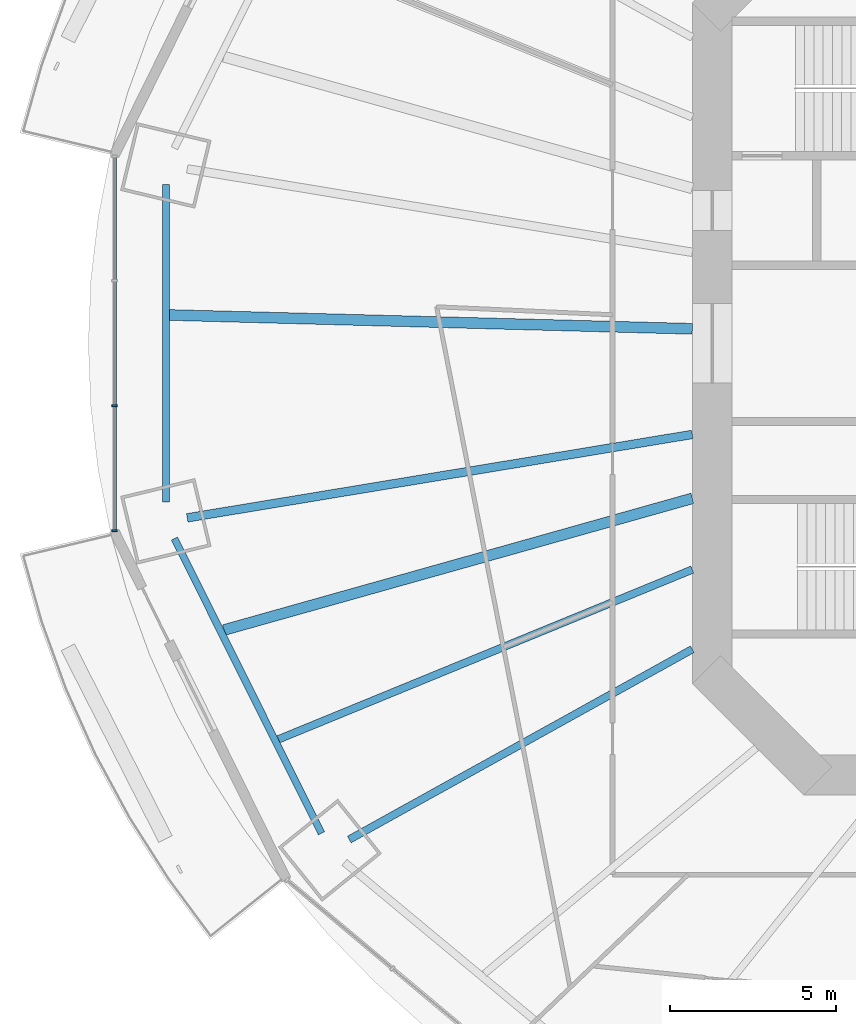
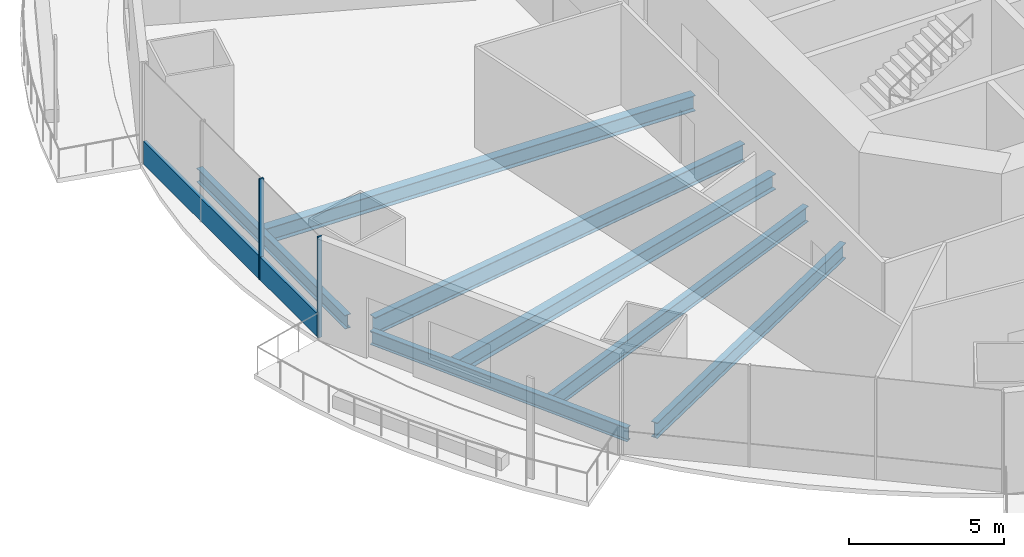
# One storey, part 3 of 22: 7 beams, 3 members, 1 element without a shape of its own.
"""IFC4 building model written with IfcOpenShell, lengths in metres."""

import ifcopenshell
import ifcopenshell.guid

model = None  # the IFC model being written
_history = None  # IfcOwnerHistory: only IFC2X3 demands one
_inside = {}  # id of a spatial element -> (the spatial element, [elements in it])
_under = {}  # id of a project, library or spatial element -> (it, [spatial elements below it])
_declared = {}  # id of a project -> (the project, [libraries it declares])
_typed = {}  # id of a type object -> (the type object, [elements of that type])
_made_of = {}  # id of a material, layer set ... -> (it, [elements and type objects made of it])


def new_model(schema):
    """Start an empty IFC model of exactly this schema.

    Asked for "IFC4X3", IfcOpenShell would pick the latest addendum, in which some entities
    have other attributes; the version numbers below select the first issue.
    IFC2X3 requires an IfcOwnerHistory on every rooted entity: one is made here for all.
    """
    global model, _history
    if schema == "IFC4X3":
        model = ifcopenshell.file(schema_version=(4, 3, 0, 0))
    else:
        model = ifcopenshell.file(schema=schema)
    _inside.clear()
    _under.clear()
    _declared.clear()
    _typed.clear()
    _made_of.clear()
    _history = None
    if model.schema == "IFC2X3":
        org = make("IfcOrganization", Name="unknown")
        user = make(
            "IfcPersonAndOrganization",
            ThePerson=make("IfcPerson", FamilyName="unknown"),
            TheOrganization=org,
        )
        app = make(
            "IfcApplication",
            ApplicationDeveloper=org,
            Version="unknown",
            ApplicationFullName="unknown",
            ApplicationIdentifier="unknown",
        )
        _history = make(
            "IfcOwnerHistory",
            OwningUser=user,
            OwningApplication=app,
            ChangeAction="ADDED",
            CreationDate=0,
        )
    return model


def make(cls, **values):
    """One entity of the class cls with the attributes given. An attribute that is None is left unset."""
    return model.create_entity(
        cls, **{name: value for name, value in values.items() if value is not None}
    )


def rooted(cls, **values):
    """An entity with a GlobalId (a new one), such as an element, a storey or a relation."""
    return make(cls, GlobalId=ifcopenshell.guid.new(), OwnerHistory=_history, **values)


def si_unit(unit_type, name, prefix=None):
    """IfcSIUnit, for example si_unit("LENGTHUNIT", "METRE", prefix="MILLI")."""
    return make("IfcSIUnit", UnitType=unit_type, Prefix=prefix, Name=name)


def assignment(units):
    """IfcUnitAssignment: the units of a project."""
    return None if units is None else make("IfcUnitAssignment", Units=units)


def point(xyz):
    """IfcCartesianPoint."""
    return None if xyz is None else make("IfcCartesianPoint", Coordinates=xyz)


def direction(xyz):
    """IfcDirection."""
    return None if xyz is None else make("IfcDirection", DirectionRatios=xyz)


def frame(location, z_axis=None, x_axis=None):
    """IfcAxis2Placement3D, a coordinate frame: its origin and axes. An axis left out is left unset."""
    return make(
        "IfcAxis2Placement3D",
        Location=point(location),
        Axis=direction(z_axis),
        RefDirection=direction(x_axis),
    )


def frame_2d(location, x_axis=None):
    """IfcAxis2Placement2D, a coordinate frame in the plane: its origin and x axis."""
    return make(
        "IfcAxis2Placement2D", Location=point(location), RefDirection=direction(x_axis)
    )


def origin():
    """The frame at (0, 0, 0) with its axes left unset."""
    return frame((0.0, 0.0, 0.0))


def origin_2d():
    """The frame at (0, 0) in the plane with its x axis left unset."""
    return frame_2d((0.0, 0.0))


def place(relative_to, where):
    """IfcLocalPlacement: puts the frame where relative to a parent placement (None: the world)."""
    return make(
        "IfcLocalPlacement", PlacementRelTo=relative_to, RelativePlacement=where
    )


def context(
    kind, dimensions, precision=None, world=None, true_north=None, identifier=None
):
    """IfcGeometricRepresentationContext, for example the 3D "Model" context."""
    return make(
        "IfcGeometricRepresentationContext",
        ContextIdentifier=identifier,
        ContextType=kind,
        CoordinateSpaceDimension=dimensions,
        Precision=precision,
        WorldCoordinateSystem=world,
        TrueNorth=true_north,
    )


def subcontext(parent, identifier, kind, view, scale=None):
    """IfcGeometricRepresentationSubContext, for example "Body" below "Model"."""
    return make(
        "IfcGeometricRepresentationSubContext",
        ContextIdentifier=identifier,
        ContextType=kind,
        ParentContext=parent,
        TargetScale=scale,
        TargetView=view,
    )


def project(units=None, contexts=None):
    """IfcProject with its units and contexts."""
    return rooted(
        "IfcProject",
        Name="project",
        RepresentationContexts=contexts,
        UnitsInContext=assignment(units),
    )


def spatial(cls, under=None, at=None, **own):
    """A site, building, storey or space (cls), placed at a placement, below another one or the project."""
    s = rooted(cls, ObjectPlacement=at, **own)
    if under is not None:
        _under.setdefault(under.id(), (under, []))[1].append(s)
    return s


def profile(cls, at=None, kind="AREA", **sizes):
    """A parametric profile (cls). Its sizes go by their IFC names, for example OverallWidth=200.0."""
    return make(cls, ProfileType=kind, Position=at, **sizes)


def rectangle(**sizes):
    """IfcRectangleProfileDef."""
    return profile("IfcRectangleProfileDef", **sizes)


def i_section(**sizes):
    """IfcIShapeProfileDef."""
    return profile("IfcIShapeProfileDef", **sizes)


def extrude(swept, where, along, depth):
    """IfcExtrudedAreaSolid: the profile swept, set in the frame where, extruded along a direction by depth."""
    return make(
        "IfcExtrudedAreaSolid",
        SweptArea=swept,
        Position=where,
        ExtrudedDirection=direction(along),
        Depth=depth,
    )


def shape(context_of_items, identifier, shape_type, items):
    """IfcShapeRepresentation: the items that make up one representation, for example the "Body"."""
    return make(
        "IfcShapeRepresentation",
        ContextOfItems=context_of_items,
        RepresentationIdentifier=identifier,
        RepresentationType=shape_type,
        Items=items,
    )


def material(Name=None, Category=None):
    """IfcMaterial."""
    return make("IfcMaterial", Name=Name, Category=Category)


def material_profile(
    of_material, cross_section, Name=None, Category=None, Priority=None
):
    """IfcMaterialProfile: a cross section and its material."""
    return make(
        "IfcMaterialProfile",
        Name=Name,
        Material=of_material,
        Profile=cross_section,
        Priority=Priority,
        Category=Category,
    )


def profile_set(profiles, Name=None, composite=None):
    """IfcMaterialProfileSet."""
    return make(
        "IfcMaterialProfileSet",
        Name=Name,
        MaterialProfiles=profiles,
        CompositeProfile=composite,
    )


def made_of(thing, what):
    """Note that an element or type object is made of a material, layer set ...; save() writes the relation."""
    if what is not None:
        _made_of.setdefault(what.id(), (what, []))[1].append(thing)
    return thing


def type_object(cls, material=None, **own):
    """A type object (cls), such as IfcWallType, which elements share."""
    return made_of(rooted(cls, **own), material)


def element(
    cls,
    number,
    at=None,
    inside=None,
    cuts=None,
    type_object=None,
    material=None,
    context=None,
    identifier="Body",
    shape_type=None,
    held_by="IfcProductDefinitionShape",
    body=None,
    shapes=None,
    **own,
):
    """One element of the class cls, such as IfcWall. Its Tag is "e" and its number.

    at: its placement. inside: the storey or other place that contains it. cuts: it is an
    opening in that element (IfcRelVoidsElement). A single representation is given by context,
    identifier, shape_type and body (its items); several are given by shapes. held_by: the class
    of the entity that holds the representations. save() writes the other relations.
    """
    e = rooted(cls, Tag="e%d" % number, ObjectPlacement=at, **own)
    if body is not None:
        shapes = [shape(context, identifier, shape_type, body)]
    if shapes is not None:
        e.Representation = make(held_by, Representations=shapes)
    if inside is not None:
        _inside.setdefault(inside.id(), (inside, []))[1].append(e)
    if cuts is not None:
        rooted(
            "IfcRelVoidsElement", RelatingBuildingElement=cuts, RelatedOpeningElement=e
        )
    if type_object is not None:
        _typed.setdefault(type_object.id(), (type_object, []))[1].append(e)
    return made_of(e, material)


def aggregate(whole, parts):
    """IfcRelAggregates: a whole, such as a stair, and the parts it consists of."""
    return rooted("IfcRelAggregates", RelatingObject=whole, RelatedObjects=parts)


def save(model, path):
    """Write the relations noted so far, then the file.

    IfcRelAggregates (storeys below a building ...), IfcRelContainedInSpatialStructure (elements
    in a storey), IfcRelDefinesByType, IfcRelAssociatesMaterial and IfcRelDeclares: one each for
    every whole, place, type object, material and project.
    """
    for whole, parts in _under.values():
        aggregate(whole, parts)
    for where, things in _inside.values():
        rooted(
            "IfcRelContainedInSpatialStructure",
            RelatedElements=things,
            RelatingStructure=where,
        )
    for kind, things in _typed.values():
        rooted("IfcRelDefinesByType", RelatedObjects=things, RelatingType=kind)
    for what, things in _made_of.values():
        rooted("IfcRelAssociatesMaterial", RelatedObjects=things, RelatingMaterial=what)
    for by, libraries in _declared.values():
        rooted("IfcRelDeclares", RelatingContext=by, RelatedDefinitions=libraries)
    model.write(path)


model = new_model("IFC4")

# Units and contexts
model_context = context("Model", 3, precision=1e-05, world=origin(), true_north=direction((0.0, 1.0)))
body_context = subcontext(model_context, "Body", "Model", "MODEL_VIEW")
ifc_project = project(units=[si_unit("LENGTHUNIT", "METRE"), si_unit("AREAUNIT", "SQUARE_METRE"), si_unit("VOLUMEUNIT", "CUBIC_METRE"), si_unit("PLANEANGLEUNIT", "RADIAN"), si_unit("MASSUNIT", "GRAM", prefix="KILO")], contexts=[model_context])

# Site, building, storey
site_placement = place(None, origin())
site = spatial("IfcSite", under=ifc_project, at=site_placement, CompositionType="ELEMENT")
building_placement = place(site_placement, origin())
building = spatial("IfcBuilding", under=site, at=building_placement, Name="Marenthal Gate Tower", CompositionType="ELEMENT")
storey_placement = place(building_placement, frame((0.0, 0.0, 95.25)))
storey = spatial("IfcBuildingStorey", under=building, at=storey_placement, Name="L19", CompositionType="ELEMENT", Elevation=95.25)

# Curtain wall, members
ifc_material_1 = material(Name="Aluminium and glass", Category="aluminium")
curtain_wall_type = type_object("IfcCurtainWallType", Name="Curtain wall typical low", PredefinedType="NOTDEFINED", material=ifc_material_1)
curtain_wall_placement = place(storey_placement, origin())
curtain_wall = element("IfcCurtainWall", 1, at=curtain_wall_placement, inside=storey, type_object=curtain_wall_type, Name="Curtain wall L19 bay 8", PredefinedType="NOTDEFINED")
ifc_material_2 = material(Name="Aluminium", Category="aluminium")
ifc_material_profile_1 = material_profile(ifc_material_2, rectangle(XDim=0.159912109375, YDim=0.06005859375, at=origin_2d()), Name="60x160 aluminium mullion")
ifc_profile_set_1 = profile_set([ifc_material_profile_1], Name="Aluminium")
member_type_1 = type_object("IfcMemberType", Name="Mullion 60x160 typical low", PredefinedType="MULLION", material=ifc_profile_set_1)
member_1_placement = place(storey_placement, frame((-34.001953125, -1.87939453125, 0.0), z_axis=(0.0, 0.0, 1.0), x_axis=(1.0, 0.0, 0.0)))
member_1 = element("IfcMember", 2, at=member_1_placement, type_object=member_type_1, Name="Mullion L19 bay 8.3", PredefinedType="MULLION", context=body_context, shape_type="SweptSolid", body=[
    extrude(rectangle(XDim=0.159912109375, YDim=0.06005859375, at=origin_2d()), origin(), (0.0, 0.0, 1.0), 3.969970703125),
])
member_2_placement = place(storey_placement, frame((-34.001953125, -5.637939453125, 0.0), z_axis=(0.0, 0.0, 1.0), x_axis=(1.0, 0.0, 0.0)))
member_2 = element("IfcMember", 3, at=member_2_placement, type_object=member_type_1, Name="Mullion L19 bay 8.4", PredefinedType="MULLION", context=body_context, shape_type="SweptSolid", body=[
    extrude(rectangle(XDim=0.159912109375, YDim=0.06005859375, at=origin_2d()), origin(), (0.0, 0.0, 1.0), 3.969970703125),
])
ifc_material_3 = material(Name="Aluminium", Category="aluminium")
ifc_material_profile_2 = material_profile(ifc_material_3, rectangle(XDim=0.1201171875, YDim=0.89990234375, at=origin_2d()), Name="120x900 aluminium transom")
ifc_profile_set_2 = profile_set([ifc_material_profile_2], Name="Aluminium")
member_type_2 = type_object("IfcMemberType", Name="Transom 120x900 typical low", PredefinedType="USERDEFINED", material=ifc_profile_set_2)
member_3_placement = place(storey_placement, frame((-34.001953125, 5.60791015625, 0.449951171875), z_axis=(0.0, -1.0, 0.0), x_axis=(1.0, 0.0, 0.0)))
member_3 = element("IfcMember", 4, at=member_3_placement, type_object=member_type_2, Name="Transom L19 bay 8", ObjectType="TRANSOM", PredefinedType="USERDEFINED", context=body_context, shape_type="SweptSolid", body=[
    extrude(rectangle(XDim=0.1201171875, YDim=0.89990234375, at=origin_2d()), origin(), (0.0, 0.0, 1.0), 11.2158203125),
])
aggregate(curtain_wall, [member_1, member_2, member_3])

# Beams
ifc_material_4 = material(Name="Steel S355", Category="steel")
ifc_material_profile_3 = material_profile(ifc_material_4, i_section(OverallWidth=0.2119140625, OverallDepth=0.5439453125, WebThickness=0.01318359375, FlangeThickness=0.021240234375, FilletRadius=0.0126953125, at=origin_2d()), Name="W530X123")
ifc_profile_set_3 = profile_set([ifc_material_profile_3], Name="Steel S355")
beam_type_1 = type_object("IfcBeamType", Name="W530X123 beam", PredefinedType="BEAM", material=ifc_profile_set_3)
beam_1_placement = place(storey_placement, frame((-32.4521484375, 4.780029296875, -0.451904296875), z_axis=(0.0, -1.0, 0.0), x_axis=(1.0, 0.0, 0.0)))
element("IfcBeam", 5, at=beam_1_placement, inside=storey, type_object=beam_type_1, Name="BM-L19-48", PredefinedType="BEAM", context=body_context, shape_type="SweptSolid", body=[
    extrude(i_section(OverallWidth=0.2119140625, OverallDepth=0.5439453125, WebThickness=0.01318359375, FlangeThickness=0.021240234375, FilletRadius=0.0126953125, at=origin_2d()), origin(), (0.0, 0.0, 1.0), 9.56005859375),
])
beam_2_placement = place(storey_placement, frame((-32.1943359375, -5.876708984375, -0.451904296875), z_axis=(0.446405750938, -0.89483065746, 0.0), x_axis=(0.89483065746, 0.446405750938, 0.0)))
element("IfcBeam", 6, at=beam_2_placement, inside=storey, type_object=beam_type_1, Name="BM-L19-49", PredefinedType="BEAM", context=body_context, shape_type="SweptSolid", body=[
    extrude(i_section(OverallWidth=0.2119140625, OverallDepth=0.5439453125, WebThickness=0.01318359375, FlangeThickness=0.021240234375, FilletRadius=0.0126953125, at=origin_2d()), origin(), (0.0, 0.0, 1.0), 9.914794921875),
])
ifc_material_5 = material(Name="Steel S355", Category="steel")
ifc_material_profile_4 = material_profile(ifc_material_5, i_section(OverallWidth=0.22900390625, OverallDepth=0.612060546875, WebThickness=0.011962890625, FlangeThickness=0.01953125, FilletRadius=0.0126953125, at=origin_2d()), Name="W610X125")
ifc_profile_set_4 = profile_set([ifc_material_profile_4], Name="Steel S355")
beam_type_2 = type_object("IfcBeamType", Name="W610X125 beam", PredefinedType="BEAM", material=ifc_profile_set_4)
beam_3_placement = place(storey_placement, frame((-26.928466796875, -14.939697265625, -0.486083984375), z_axis=(0.874435979354, 0.485140925929, 0.0), x_axis=(-0.485140925929, 0.874435979354, 0.0)))
element("IfcBeam", 7, at=beam_3_placement, inside=storey, type_object=beam_type_2, Name="BM-L19-10", PredefinedType="BEAM", context=body_context, shape_type="SweptSolid", body=[
    extrude(i_section(OverallWidth=0.22900390625, OverallDepth=0.612060546875, WebThickness=0.011962890625, FlangeThickness=0.01953125, FilletRadius=0.0126953125, at=origin_2d()), origin(), (0.0, 0.0, 1.0), 11.8115234375),
])
beam_4_placement = place(storey_placement, frame((-29.060302734375, -11.921630859375, -0.486083984375), z_axis=(0.925176615925, 0.379536861642, 0.0), x_axis=(-0.379536861642, 0.925176615925, 0.0)))
element("IfcBeam", 8, at=beam_4_placement, inside=storey, type_object=beam_type_2, Name="BM-L19-30", PredefinedType="BEAM", context=body_context, shape_type="SweptSolid", body=[
    extrude(i_section(OverallWidth=0.22900390625, OverallDepth=0.612060546875, WebThickness=0.011962890625, FlangeThickness=0.01953125, FilletRadius=0.0126953125, at=origin_2d()), origin(), (0.0, 0.0, 1.0), 13.468017578125),
])
ifc_material_6 = material(Name="Steel S355", Category="steel")
ifc_material_profile_5 = material_profile(ifc_material_6, i_section(OverallWidth=0.324951171875, OverallDepth=0.612060546875, WebThickness=0.0126953125, FlangeThickness=0.01904296875, FilletRadius=0.0126953125, at=origin_2d()), Name="W610X155")
ifc_profile_set_5 = profile_set([ifc_material_profile_5], Name="Steel S355")
beam_type_3 = type_object("IfcBeamType", Name="W610X155 beam", PredefinedType="BEAM", material=ifc_profile_set_5)
beam_5_placement = place(storey_placement, frame((-32.34619140625, 0.854736328125, -0.486083984375), z_axis=(0.999651167987, -0.026411026889, 0.0), x_axis=(0.026411026889, 0.999651167987, 0.0)))
element("IfcBeam", 9, at=beam_5_placement, inside=storey, type_object=beam_type_3, Name="BM-L19-28", PredefinedType="BEAM", context=body_context, shape_type="SweptSolid", body=[
    extrude(i_section(OverallWidth=0.324951171875, OverallDepth=0.612060546875, WebThickness=0.0126953125, FlangeThickness=0.01904296875, FilletRadius=0.0126953125, at=origin_2d()), origin(), (0.0, 0.0, 1.0), 15.751708984375),
])
beam_6_placement = place(storey_placement, frame((-30.701416015625, -8.631591796875, -0.486083984375), z_axis=(0.962675778396, 0.270657247621, 0.0), x_axis=(-0.270657247621, 0.962675778396, 0.0)))
element("IfcBeam", 10, at=beam_6_placement, inside=storey, type_object=beam_type_3, Name="BM-L19-29", PredefinedType="BEAM", context=body_context, shape_type="SweptSolid", body=[
    extrude(i_section(OverallWidth=0.324951171875, OverallDepth=0.612060546875, WebThickness=0.0126953125, FlangeThickness=0.01904296875, FilletRadius=0.0126953125, at=origin_2d()), origin(), (0.0, 0.0, 1.0), 14.64794921875),
])
ifc_material_7 = material(Name="Steel S355", Category="steel")
ifc_material_profile_6 = material_profile(ifc_material_7, i_section(OverallWidth=0.257080078125, OverallDepth=0.693115234375, WebThickness=0.014404296875, FlangeThickness=0.023681640625, FilletRadius=0.015380859375, at=origin_2d()), Name="W690X170")
ifc_profile_set_6 = profile_set([ifc_material_profile_6], Name="Steel S355")
beam_type_4 = type_object("IfcBeamType", Name="W690X170 beam", PredefinedType="BEAM", material=ifc_profile_set_6)
beam_7_placement = place(storey_placement, frame((-31.80810546875, -5.25341796875, -0.526611328125), z_axis=(0.986634295721, 0.162950196404, 0.0), x_axis=(-0.162950196404, 0.986634295721, 0.0)))
element("IfcBeam", 11, at=beam_7_placement, inside=storey, type_object=beam_type_4, Name="BM-L19-09", PredefinedType="BEAM", context=body_context, shape_type="SweptSolid", body=[
    extrude(i_section(OverallWidth=0.257080078125, OverallDepth=0.693115234375, WebThickness=0.014404296875, FlangeThickness=0.023681640625, FilletRadius=0.015380859375, at=origin_2d()), origin(), (0.0, 0.0, 1.0), 15.4140625),
])

save(model, "model.ifc")
